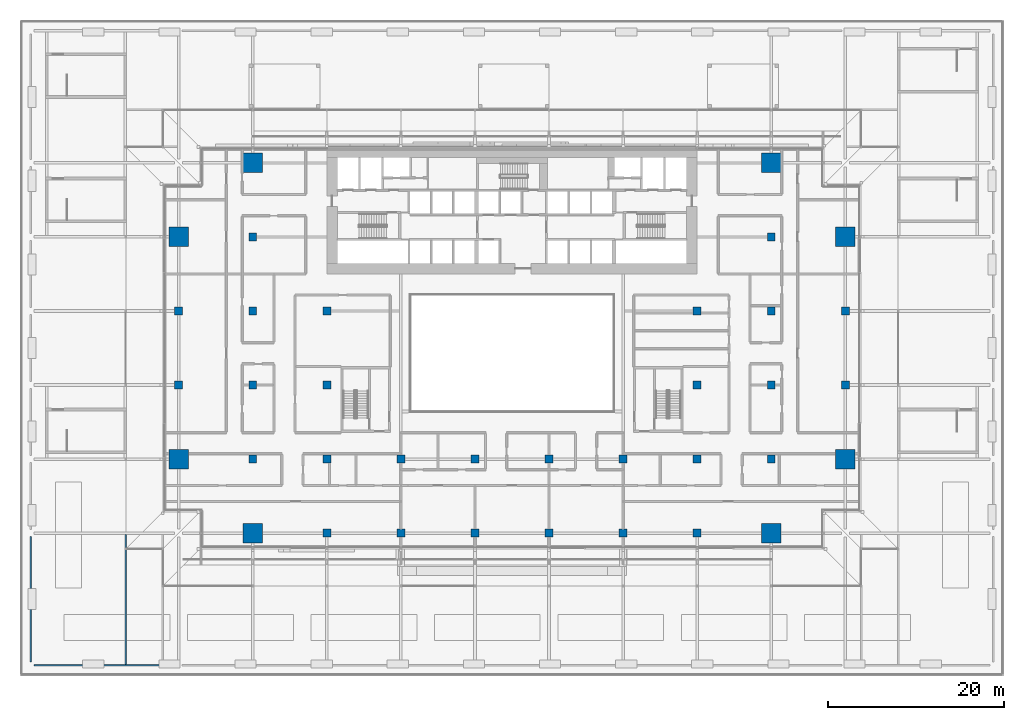
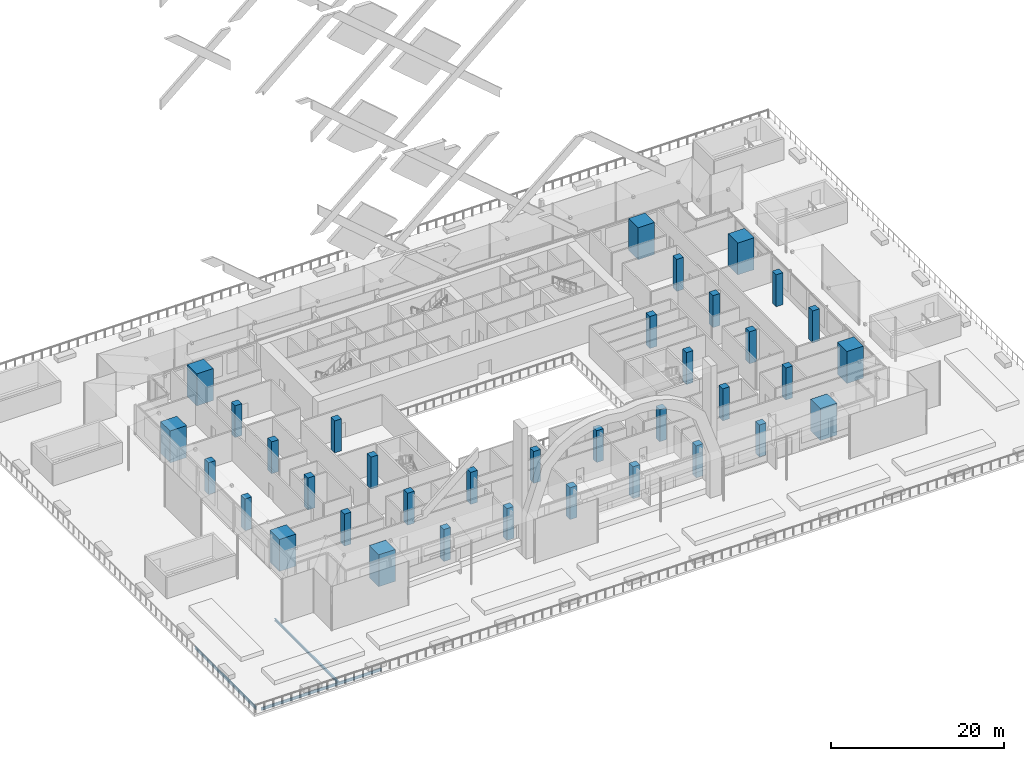
# One storey, part 1 of 60: 36 columns, 3 beams.
"""IFC4 building model written with IfcOpenShell, lengths in metres."""

from ifc_helpers import new_model, si_unit, direction, frame, origin, origin_2d, place, context, subcontext, project, spatial, rectangle, i_section, extrude, material, material_profile, profile_set, type_object, element, save


model = new_model("IFC4")

# Units and contexts
model_context = context("Model", 3, precision=1e-05, world=origin(), true_north=direction((0.0, 1.0)))
body_context = subcontext(model_context, "Body", "Model", "MODEL_VIEW")
ifc_project = project(units=[si_unit("LENGTHUNIT", "METRE"), si_unit("AREAUNIT", "SQUARE_METRE"), si_unit("VOLUMEUNIT", "CUBIC_METRE"), si_unit("PLANEANGLEUNIT", "RADIAN"), si_unit("MASSUNIT", "GRAM", prefix="KILO")], contexts=[model_context])

# Site, building, storey
site_placement = place(None, origin())
site = spatial("IfcSite", under=ifc_project, at=site_placement, CompositionType="ELEMENT")
building_placement = place(site_placement, origin())
building = spatial("IfcBuilding", under=site, at=building_placement, Name="Saffron Gate Tower", CompositionType="ELEMENT")
storey_placement = place(building_placement, frame((0.0, 0.0, 19.199951171875)))
storey = spatial("IfcBuildingStorey", under=building, at=storey_placement, Name="L03", CompositionType="ELEMENT", Elevation=19.199951171875)

# Columns
ifc_material_1 = material(Name="Concrete C60", Category="concrete")
ifc_material_profile_1 = material_profile(ifc_material_1, rectangle(XDim=0.89990234375, YDim=0.89990234375, at=origin_2d()))
ifc_profile_set_1 = profile_set([ifc_material_profile_1], Name="Concrete C60")
column_type_1 = type_object("IfcColumnType", Name="C6 RC 900x900 CONCRETE C60", PredefinedType="COLUMN", material=ifc_profile_set_1)
for number, where, z_axis, x_axis, name in (
    (1, (49.800048828125, 48.60009765625, 0.0), (0.0, 0.0, 1.0), (1.0, 0.0, 0.0), "C6 COLUMN X1-C"),
    (2, (49.800048828125, 57.0, 0.0), (0.0, 0.0, 1.0), (1.0, 0.0, 0.0), "C6 COLUMN X1-D"),
    (3, (58.199951171875, 40.199951171875, 0.0), (0.0, 0.0, 1.0), (1.0, 0.0, 0.0), "C6 COLUMN X2-B"),
    (4, (58.199951171875, 48.60009765625, 0.0), (0.0, 0.0, 1.0), (1.0, 0.0, 0.0), "C6 COLUMN X2-C"),
    (5, (58.199951171875, 57.0, 0.0), (0.0, 0.0, 1.0), (1.0, 0.0, 0.0), "C6 COLUMN X2-D"),
    (6, (58.199951171875, 65.39990234375, 0.0), (0.0, 0.0, 1.0), (1.0, 0.0, 0.0), "C6 COLUMN X2-E"),
    (7, (66.60009765625, 31.800048828125, 0.0), (0.0, 0.0, 1.0), (1.0, 0.0, 0.0), "C6 COLUMN X3-A"),
    (8, (66.60009765625, 40.199951171875, 0.0), (0.0, 0.0, 1.0), (1.0, 0.0, 0.0), "C6 COLUMN X3-B"),
    (9, (66.60009765625, 48.60009765625, 0.0), (0.0, 0.0, 1.0), (1.0, 0.0, 0.0), "C6 COLUMN X3-C"),
    (10, (66.60009765625, 57.0, 0.0), (0.0, 0.0, 1.0), (1.0, 0.0, 0.0), "C6 COLUMN X3-D"),
    (11, (75.0, 31.800048828125, 0.0), (0.0, 0.0, 1.0), (1.0, 0.0, 0.0), "C6 COLUMN X4-A"),
    (12, (75.0, 40.199951171875, 0.0), (0.0, 0.0, 1.0), (1.0, 0.0, 0.0), "C6 COLUMN X4-B"),
    (13, (83.39990234375, 31.800048828125, 0.0), (0.0, 0.0, 1.0), (1.0, 0.0, 0.0), "C6 COLUMN X5-A"),
    (14, (83.39990234375, 40.199951171875, 0.0), (0.0, 0.0, 1.0), (1.0, 0.0, 0.0), "C6 COLUMN X5-B"),
    (15, (91.800048828125, 31.800048828125, 0.0), (0.0, 0.0, 1.0), (1.0, 0.0, 0.0), "C6 COLUMN X6-A"),
    (16, (91.800048828125, 40.199951171875, 0.0), (0.0, 0.0, 1.0), (1.0, 0.0, 0.0), "C6 COLUMN X6-B"),
    (17, (100.199951171875, 31.800048828125, 0.0), (0.0, 0.0, 1.0), (1.0, 0.0, 0.0), "C6 COLUMN X7-A"),
    (18, (100.199951171875, 40.199951171875, 0.0), (0.0, 0.0, 1.0), (1.0, 0.0, 0.0), "C6 COLUMN X7-B"),
    (19, (108.60009765625, 31.800048828125, 0.0), (0.0, 0.0, 1.0), (1.0, 0.0, 0.0), "C6 COLUMN X8-A"),
    (20, (108.60009765625, 40.199951171875, 0.0), (0.0, 0.0, 1.0), (1.0, 0.0, 0.0), "C6 COLUMN X8-B"),
    (21, (108.60009765625, 48.60009765625, 0.0), (0.0, 0.0, 1.0), (1.0, 0.0, 0.0), "C6 COLUMN X8-C"),
    (22, (108.60009765625, 57.0, 0.0), (0.0, 0.0, 1.0), (1.0, 0.0, 0.0), "C6 COLUMN X8-D"),
    (23, (117.0, 40.199951171875, 0.0), (0.0, 0.0, 1.0), (1.0, 0.0, 0.0), "C6 COLUMN X9-B"),
    (24, (117.0, 48.60009765625, 0.0), (0.0, 0.0, 1.0), (1.0, 0.0, 0.0), "C6 COLUMN X9-C"),
    (25, (117.0, 57.0, 0.0), (0.0, 0.0, 1.0), (1.0, 0.0, 0.0), "C6 COLUMN X9-D"),
    (26, (117.0, 65.39990234375, 0.0), (0.0, 0.0, 1.0), (1.0, 0.0, 0.0), "C6 COLUMN X9-E"),
    (27, (125.39990234375, 48.60009765625, 0.0), (0.0, 0.0, 1.0), (1.0, 0.0, 0.0), "C6 COLUMN X10-C"),
    (28, (125.39990234375, 57.0, 0.0), (0.0, 0.0, 1.0), (1.0, 0.0, 0.0), "C6 COLUMN X10-D"),
):
    element("IfcColumn", number, at=place(storey_placement, frame(where, z_axis=z_axis, x_axis=x_axis)), inside=storey, type_object=column_type_1, Name=name, PredefinedType="COLUMN", context=body_context, shape_type="SweptSolid", body=[
        extrude(rectangle(XDim=0.89990234375, YDim=0.89990234375, at=origin_2d()), origin(), (0.0, 0.0, 1.0), 4.5),
    ])
ifc_material_2 = material(Name="Concrete C80", Category="concrete")
ifc_material_profile_2 = material_profile(ifc_material_2, rectangle(XDim=2.199951171875, YDim=2.199951171875, at=origin_2d()))
ifc_profile_set_2 = profile_set([ifc_material_profile_2], Name="Concrete C80")
column_type_2 = type_object("IfcColumnType", Name="MC4 RC 2200x2200 CONCRETE C80", PredefinedType="COLUMN", material=ifc_profile_set_2)
for number, where, z_axis, x_axis, name in (
    (29, (49.800048828125, 40.199951171875, 0.0), (0.0, 0.0, 1.0), (1.0, 0.0, 0.0), "MC4 MEGA COLUMN X1-B"),
    (30, (49.800048828125, 65.39990234375, 0.0), (0.0, 0.0, 1.0), (1.0, 0.0, 0.0), "MC4 MEGA COLUMN X1-E"),
    (31, (58.199951171875, 31.800048828125, 0.0), (0.0, 0.0, 1.0), (1.0, 0.0, 0.0), "MC4 MEGA COLUMN X2-A"),
    (32, (58.199951171875, 73.800048828125, 0.0), (0.0, 0.0, 1.0), (1.0, 0.0, 0.0), "MC4 MEGA COLUMN X2-F"),
    (33, (117.0, 31.800048828125, 0.0), (0.0, 0.0, 1.0), (1.0, 0.0, 0.0), "MC4 MEGA COLUMN X9-A"),
    (34, (117.0, 73.800048828125, 0.0), (0.0, 0.0, 1.0), (1.0, 0.0, 0.0), "MC4 MEGA COLUMN X9-F"),
    (35, (125.39990234375, 40.199951171875, 0.0), (0.0, 0.0, 1.0), (1.0, 0.0, 0.0), "MC4 MEGA COLUMN X10-B"),
    (36, (125.39990234375, 65.39990234375, 0.0), (0.0, 0.0, 1.0), (1.0, 0.0, 0.0), "MC4 MEGA COLUMN X10-E"),
):
    element("IfcColumn", number, at=place(storey_placement, frame(where, z_axis=z_axis, x_axis=x_axis)), inside=storey, type_object=column_type_2, Name=name, PredefinedType="COLUMN", context=body_context, shape_type="SweptSolid", body=[
        extrude(rectangle(XDim=2.199951171875, YDim=2.199951171875, at=origin_2d()), origin(), (0.0, 0.0, 1.0), 4.5),
    ])

# Beams
ifc_material_3 = material(Name="Structural steel S355", Category="steel")
ifc_material_profile_3 = material_profile(ifc_material_3, i_section(OverallWidth=0.169921875, OverallDepth=0.360107421875, WebThickness=0.008056640625, FlangeThickness=0.0126953125, FilletRadius=0.01806640625, at=origin_2d()))
ifc_profile_set_3 = profile_set([ifc_material_profile_3], Name="Structural steel S355")
beam_type_1 = type_object("IfcBeamType", Name="B1 IPE 360", PredefinedType="BEAM", material=ifc_profile_set_3)
beam_1_placement = place(storey_placement, frame((33.39990234375, 16.800048828125, -0.47998046875), z_axis=(1.0, 0.0, 0.0), x_axis=(0.0, 1.0, 0.0)))
element("IfcBeam", 37, at=beam_1_placement, inside=storey, type_object=beam_type_1, Name="B1 PODIUM EDGE BEAM", PredefinedType="BEAM", context=body_context, shape_type="SweptSolid", body=[
    extrude(i_section(OverallWidth=0.169921875, OverallDepth=0.360107421875, WebThickness=0.008056640625, FlangeThickness=0.0126953125, FilletRadius=0.01806640625, at=origin_2d()), origin(), (0.0, 0.0, 1.0), 16.0),
])
beam_2_placement = place(storey_placement, frame((33.0, 17.199951171875, -0.47998046875), z_axis=(0.0, 1.0, 0.0), x_axis=(-1.0, 0.0, 0.0)))
element("IfcBeam", 38, at=beam_2_placement, inside=storey, type_object=beam_type_1, Name="B1 PODIUM EDGE BEAM", PredefinedType="BEAM", context=body_context, shape_type="SweptSolid", body=[
    extrude(i_section(OverallWidth=0.169921875, OverallDepth=0.360107421875, WebThickness=0.008056640625, FlangeThickness=0.0126953125, FilletRadius=0.01806640625, at=origin_2d()), origin(), (0.0, 0.0, 1.0), 14.199951171875),
])
ifc_material_profile_4 = material_profile(ifc_material_3, i_section(OverallWidth=0.169921875, OverallDepth=0.360107421875, WebThickness=0.008056640625, FlangeThickness=0.0126953125, FilletRadius=0.01806640625, at=origin_2d()))
ifc_profile_set_4 = profile_set([ifc_material_profile_4], Name="Structural steel S355")
beam_type_2 = type_object("IfcBeamType", Name="HL5 hall kerb beam", PredefinedType="BEAM", material=ifc_profile_set_4)
beam_3_placement = place(storey_placement, frame((43.800048828125, 16.885009765625, -0.47998046875), z_axis=(0.0, 1.0, 0.0), x_axis=(-1.0, 0.0, 0.0)))
element("IfcBeam", 39, at=beam_3_placement, inside=storey, type_object=beam_type_2, Name="HALL KERB BEAM", PredefinedType="BEAM", context=body_context, shape_type="SweptSolid", body=[
    extrude(i_section(OverallWidth=0.169921875, OverallDepth=0.360107421875, WebThickness=0.008056640625, FlangeThickness=0.0126953125, FilletRadius=0.01806640625, at=origin_2d()), origin(), (0.0, 0.0, 1.0), 14.764892578125),
])

save(model, "model.ifc")
